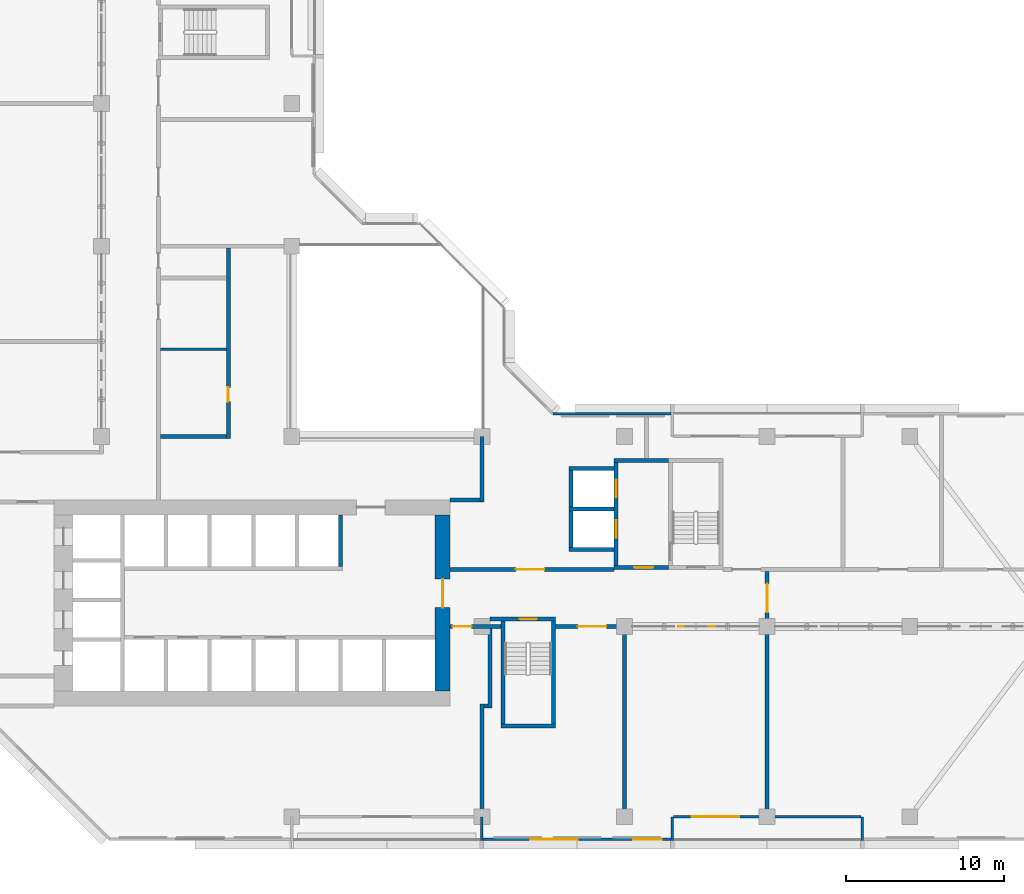
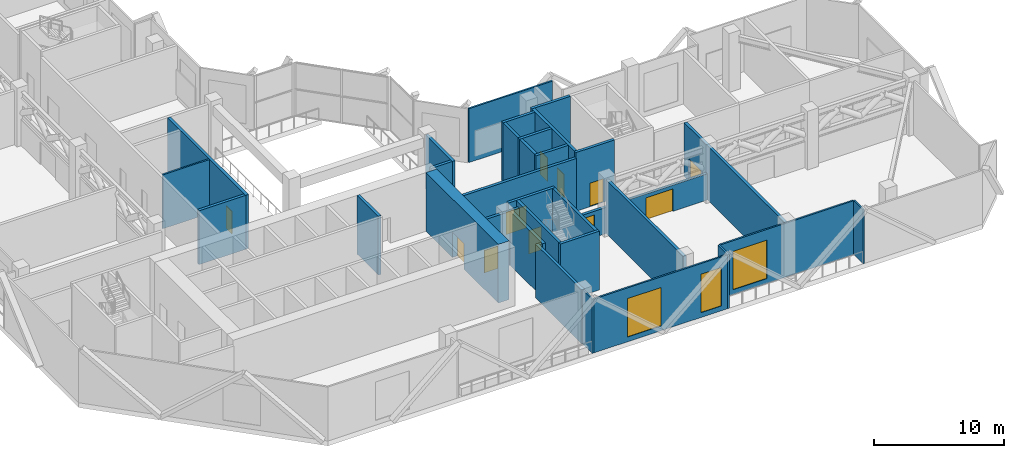
# One storey, part 7 of 15: 33 walls, 11 doors, 3 windows, 14 openings.
"""IFC4 building model written with IfcOpenShell, lengths in metres."""

from ifc_helpers import new_model, si_unit, direction, frame, frame_2d, origin, place, context, subcontext, project, spatial, rectangle, extrude, material, layer, layer_set, type_object, element, fill, save


model = new_model("IFC4")

# Units and contexts
model_context = context("Model", 3, precision=1e-05, world=origin(), true_north=direction((0.0, 1.0)))
body_context = subcontext(model_context, "Body", "Model", "MODEL_VIEW")
ifc_project = project(units=[si_unit("LENGTHUNIT", "METRE"), si_unit("AREAUNIT", "SQUARE_METRE"), si_unit("VOLUMEUNIT", "CUBIC_METRE"), si_unit("PLANEANGLEUNIT", "RADIAN"), si_unit("MASSUNIT", "GRAM", prefix="KILO")], contexts=[model_context])

# Site, building, storey
site_placement = place(None, origin())
site = spatial("IfcSite", under=ifc_project, at=site_placement, CompositionType="ELEMENT")
building_placement = place(site_placement, origin())
building = spatial("IfcBuilding", under=site, at=building_placement, Name="Chenar Terraces", CompositionType="ELEMENT")
storey_placement = place(building_placement, frame((0.0, 0.0, 140.64990234375)))
storey = spatial("IfcBuildingStorey", under=building, at=storey_placement, Name="L33", CompositionType="ELEMENT", Elevation=140.64990234375)

# Walls
ifc_material_1 = material(Name="Concrete C70/85", Category="concrete")
ifc_layer_1 = layer(ifc_material_1, 0.25)
ifc_layer_set_1 = layer_set([ifc_layer_1], Name="Concrete C70/85")
wall_type_1 = type_object("IfcWallType", Name="Core wall 250 Concrete C70/85", PredefinedType="SHEAR", material=ifc_layer_set_1)
wall_1_placement = place(storey_placement, frame((27.074951171875, 15.800048828125, 0.0), z_axis=(0.0, 0.0, 1.0), x_axis=(0.0, 1.0, 0.0)))
element("IfcWall", 1, at=wall_1_placement, inside=storey, type_object=wall_type_1, Name="Core wall NE L33", PredefinedType="SHEAR", context=body_context, shape_type="SweptSolid", body=[
    extrude(rectangle(XDim=3.25, YDim=0.25, at=frame_2d((1.625, 0.0))), origin(), (0.0, 0.0, 1.0), 5.5),
])
wall_2_placement = place(storey_placement, frame((37.199951171875, 5.72509765625, 0.0), z_axis=(0.0, 0.0, 1.0), x_axis=(1.0, 0.0, 0.0)))
element("IfcWall", 2, at=wall_2_placement, inside=storey, type_object=wall_type_1, Name="Core wall ST2_S L33", PredefinedType="SHEAR", context=body_context, shape_type="SweptSolid", body=[
    extrude(rectangle(XDim=3.449951171875, YDim=0.25, at=frame_2d((1.72509765625, 0.0))), origin(), (0.0, 0.0, 1.0), 5.5),
])

# Wall, opening, door
wall_3_placement = place(storey_placement, frame((36.5, 12.47509765625, 0.0), z_axis=(0.0, 0.0, 1.0), x_axis=(1.0, 0.0, 0.0)))
wall_3 = element("IfcWall", 3, at=wall_3_placement, inside=storey, type_object=wall_type_1, Name="Core wall ST2_N L33", PredefinedType="SHEAR", context=body_context, shape_type="SweptSolid", body=[
    extrude(rectangle(XDim=4.14990234375, YDim=0.25, at=frame_2d((2.074951171875, 0.0))), origin(), (0.0, 0.0, 1.0), 5.5),
])
opening_1_placement = place(wall_3_placement, frame((1.875, 0.0, 0.0)))
opening_1 = element("IfcOpeningElement", 4, at=opening_1_placement, cuts=wall_3, Name="Opening DL33-C7", PredefinedType="OPENING", context=body_context, shape_type="SweptSolid", body=[
    extrude(rectangle(XDim=1.10009765625, YDim=2.199951171875, at=frame_2d((0.550048828125, 1.10009765625))), frame((0.0, 0.135009765625, 0.0), z_axis=(0.0, -1.0, 0.0), x_axis=(1.0, 0.0, 0.0)), (0.0, 0.0, 1.0), 0.27001953125),
])
ifc_material_2 = material(Name="Steel-framed fire-resisting door leaf", Category="steel")
door_type_1 = type_object("IfcDoorType", Name="Stair fire door FD60 1100 x 2200", OperationType="SINGLE_SWING_LEFT", PredefinedType="DOOR", material=ifc_material_2)
door_1_placement = place(opening_1_placement, frame((1.10009765625, 0.0, 0.0), z_axis=(0.0, 0.0, 1.0), x_axis=(-1.0, 0.0, 0.0)))
door_1 = element("IfcDoor", 5, at=door_1_placement, inside=storey, type_object=door_type_1, Name="Stair door DL33-C7", OperationType="SINGLE_SWING_RIGHT", OverallHeight=2.199951171875, OverallWidth=1.10009765625, PredefinedType="DOOR", context=body_context, shape_type="SweptSolid", body=[
    extrude(rectangle(XDim=1.10009765625, YDim=2.199951171875, at=frame_2d((0.550048828125, 1.10009765625))), frame((0.0, 0.02490234375, 0.0), z_axis=(0.0, -1.0, 0.0), x_axis=(1.0, 0.0, 0.0)), (0.0, 0.0, 1.0), 0.050048828125),
])
fill(opening_1, door_1)

# Walls
for number, where, z_axis, x_axis, name in (
    (6, (37.324951171875, 5.85009765625, 0.0), (0.0, 0.0, 1.0), (0.0, 1.0, 0.0), "Core wall ST2_W L33"),
    (7, (40.52490234375, 5.85009765625, 0.0), (0.0, 0.0, 1.0), (0.0, 1.0, 0.0), "Core wall ST2_E L33"),
):
    element("IfcWall", number, at=place(storey_placement, frame(where, z_axis=z_axis, x_axis=x_axis)), inside=storey, type_object=wall_type_1, Name=name, PredefinedType="SHEAR", context=body_context, shape_type="SweptSolid", body=[
        extrude(rectangle(XDim=6.5, YDim=0.25, at=frame_2d((3.25, 0.0))), origin(), (0.0, 0.0, 1.0), 5.5),
    ])

# Wall, opening, door
wall_4_placement = place(storey_placement, frame((44.35009765625, 15.72509765625, 0.0), z_axis=(0.0, 0.0, 1.0), x_axis=(1.0, 0.0, 0.0)))
wall_4 = element("IfcWall", 8, at=wall_4_placement, inside=storey, type_object=wall_type_1, Name="Core wall F3_LS L33", PredefinedType="SHEAR", context=body_context, shape_type="SweptSolid", body=[
    extrude(rectangle(XDim=3.4248046875, YDim=0.25, at=frame_2d((1.71240234375, 0.0))), origin(), (0.0, 0.0, 1.0), 5.5),
])
opening_2_placement = place(wall_4_placement, frame((1.25, 0.0, 0.0)))
opening_2 = element("IfcOpeningElement", 9, at=opening_2_placement, cuts=wall_4, Name="Opening DL33-C10", PredefinedType="OPENING", context=body_context, shape_type="SweptSolid", body=[
    extrude(rectangle(XDim=1.199951171875, YDim=2.199951171875, at=frame_2d((0.60009765625, 1.10009765625))), frame((0.0, 0.135009765625, 0.0), z_axis=(0.0, -1.0, 0.0), x_axis=(1.0, 0.0, 0.0)), (0.0, 0.0, 1.0), 0.27001953125),
])
ifc_material_3 = material(Name="Steel-framed fire-resisting door leaf", Category="steel")
door_type_2 = type_object("IfcDoorType", Name="Lobby fire door FD60 1200 x 2200", OperationType="SINGLE_SWING_LEFT", PredefinedType="DOOR", material=ifc_material_3)
door_2_placement = place(opening_2_placement, origin())
door_2 = element("IfcDoor", 10, at=door_2_placement, inside=storey, type_object=door_type_2, Name="Core door DL33-C10", OperationType="SINGLE_SWING_RIGHT", OverallHeight=2.199951171875, OverallWidth=1.199951171875, PredefinedType="DOOR", context=body_context, shape_type="SweptSolid", body=[
    extrude(rectangle(XDim=1.199951171875, YDim=2.199951171875, at=frame_2d((0.60009765625, 1.10009765625))), frame((0.0, 0.02490234375, 0.0), z_axis=(0.0, -1.0, 0.0), x_axis=(1.0, 0.0, 0.0)), (0.0, 0.0, 1.0), 0.050048828125),
])
fill(opening_2, door_2)

# Wall
wall_5_placement = place(storey_placement, frame((44.35009765625, 22.47509765625, 0.0), z_axis=(0.0, 0.0, 1.0), x_axis=(1.0, 0.0, 0.0)))
element("IfcWall", 11, at=wall_5_placement, inside=storey, type_object=wall_type_1, Name="Core wall F3_LN L33", PredefinedType="SHEAR", context=body_context, shape_type="SweptSolid", body=[
    extrude(rectangle(XDim=3.4248046875, YDim=0.25, at=frame_2d((1.71240234375, 0.0))), origin(), (0.0, 0.0, 1.0), 5.5),
])

# Wall, openings, doors
wall_6_placement = place(storey_placement, frame((44.47509765625, 15.85009765625, 0.0), z_axis=(0.0, 0.0, 1.0), x_axis=(0.0, 1.0, 0.0)))
wall_6 = element("IfcWall", 12, at=wall_6_placement, inside=storey, type_object=wall_type_1, Name="Core wall F3_LW L33", PredefinedType="SHEAR", context=body_context, shape_type="SweptSolid", body=[
    extrude(rectangle(XDim=6.5, YDim=0.25, at=frame_2d((3.25, 0.0))), origin(), (0.0, 0.0, 1.0), 5.5),
])
opening_3_placement = place(wall_6_placement, frame((1.75, 0.0, 0.0)))
opening_3 = element("IfcOpeningElement", 13, at=opening_3_placement, cuts=wall_6, Name="Opening DL33-LD8", PredefinedType="OPENING", context=body_context, shape_type="SweptSolid", body=[
    extrude(rectangle(XDim=1.10009765625, YDim=2.199951171875, at=frame_2d((0.550048828125, 1.10009765625))), frame((0.0, 0.135009765625, 0.0), z_axis=(0.0, -1.0, 0.0), x_axis=(1.0, 0.0, 0.0)), (0.0, 0.0, 1.0), 0.27001953125),
])
opening_4_placement = place(wall_6_placement, frame((4.300048828125, 0.0, 0.0)))
opening_4 = element("IfcOpeningElement", 14, at=opening_4_placement, cuts=wall_6, Name="Opening DL33-LD9", PredefinedType="OPENING", context=body_context, shape_type="SweptSolid", body=[
    extrude(rectangle(XDim=1.10009765625, YDim=2.199951171875, at=frame_2d((0.550048828125, 1.10009765625))), frame((0.0, 0.135009765625, 0.0), z_axis=(0.0, -1.0, 0.0), x_axis=(1.0, 0.0, 0.0)), (0.0, 0.0, 1.0), 0.27001953125),
])
ifc_material_4 = material(Name="Stainless steel", Category="steel")
door_type_3 = type_object("IfcDoorType", Name="Lift landing door 1100 x 2200 sliding", OperationType="DOUBLE_DOOR_SLIDING", PredefinedType="DOOR", material=ifc_material_4)
door_3_placement = place(opening_3_placement, origin())
door_3 = element("IfcDoor", 15, at=door_3_placement, inside=storey, type_object=door_type_3, Name="Landing door F3", OperationType="DOUBLE_DOOR_SLIDING", OverallHeight=2.199951171875, OverallWidth=1.10009765625, PredefinedType="DOOR", context=body_context, shape_type="SweptSolid", body=[
    extrude(rectangle(XDim=1.10009765625, YDim=2.199951171875, at=frame_2d((0.550048828125, 1.10009765625))), frame((0.0, 0.02490234375, 0.0), z_axis=(0.0, -1.0, 0.0), x_axis=(1.0, 0.0, 0.0)), (0.0, 0.0, 1.0), 0.050048828125),
])
fill(opening_3, door_3)
door_4_placement = place(opening_4_placement, origin())
door_4 = element("IfcDoor", 16, at=door_4_placement, inside=storey, type_object=door_type_3, Name="Landing door F4", OperationType="DOUBLE_DOOR_SLIDING", OverallHeight=2.199951171875, OverallWidth=1.10009765625, PredefinedType="DOOR", context=body_context, shape_type="SweptSolid", body=[
    extrude(rectangle(XDim=1.10009765625, YDim=2.199951171875, at=frame_2d((0.550048828125, 1.10009765625))), frame((0.0, 0.02490234375, 0.0), z_axis=(0.0, -1.0, 0.0), x_axis=(1.0, 0.0, 0.0)), (0.0, 0.0, 1.0), 0.050048828125),
])
fill(opening_4, door_4)

# Walls
for number, where, z_axis, x_axis, name in (
    (17, (41.5, 16.875, 0.0), (0.0, 0.0, 1.0), (1.0, 0.0, 0.0), "Core wall F3_SS L33"),
    (18, (41.5, 19.425048828125, 0.0), (0.0, 0.0, 1.0), (1.0, 0.0, 0.0), "Core wall F3_SM L33"),
    (19, (41.5, 21.97509765625, 0.0), (0.0, 0.0, 1.0), (1.0, 0.0, 0.0), "Core wall F4_SN L33"),
):
    element("IfcWall", number, at=place(storey_placement, frame(where, z_axis=z_axis, x_axis=x_axis)), inside=storey, type_object=wall_type_1, Name=name, PredefinedType="SHEAR", context=body_context, shape_type="SweptSolid", body=[
        extrude(rectangle(XDim=2.85009765625, YDim=0.25, at=frame_2d((1.425048828125, 0.0))), origin(), (0.0, 0.0, 1.0), 5.5),
    ])
for number, where, z_axis, x_axis, name in (
    (20, (41.625, 17.0, 0.0), (0.0, 0.0, 1.0), (0.0, 1.0, 0.0), "Core wall F3_SW L33"),
    (21, (41.625, 19.550048828125, 0.0), (0.0, 0.0, 1.0), (0.0, 1.0, 0.0), "Core wall F4_SW L33"),
):
    element("IfcWall", number, at=place(storey_placement, frame(where, z_axis=z_axis, x_axis=x_axis)), inside=storey, type_object=wall_type_1, Name=name, PredefinedType="SHEAR", context=body_context, shape_type="SweptSolid", body=[
        extrude(rectangle(XDim=2.300048828125, YDim=0.25, at=frame_2d((1.14990234375, 0.0))), origin(), (0.0, 0.0, 1.0), 5.5),
    ])

# Wall, opening, door
ifc_material_5 = material(Name="Concrete C70/85", Category="concrete")
ifc_layer_2 = layer(ifc_material_5, 0.949951171875)
ifc_layer_set_2 = layer_set([ifc_layer_2], Name="Concrete C70/85")
wall_type_2 = type_object("IfcWallType", Name="Core wall 950 Concrete C70/85", PredefinedType="SHEAR", material=ifc_layer_set_2)
wall_7_placement = place(storey_placement, frame((33.52490234375, 7.949951171875, 0.0), z_axis=(0.0, 0.0, 1.0), x_axis=(0.0, 1.0, 0.0)))
wall_7 = element("IfcWall", 22, at=wall_7_placement, inside=storey, type_object=wall_type_2, Name="Core wall E L33", PredefinedType="SHEAR", context=body_context, shape_type="SweptSolid", body=[
    extrude(rectangle(XDim=11.10009765625, YDim=0.949951171875, at=frame_2d((5.550048828125, 0.0))), origin(), (0.0, 0.0, 1.0), 5.5),
])
opening_5_placement = place(wall_7_placement, frame((5.25, 0.0, 0.0)))
opening_5 = element("IfcOpeningElement", 23, at=opening_5_placement, cuts=wall_7, Name="Opening DL33-C1", PredefinedType="OPENING", context=body_context, shape_type="SweptSolid", body=[
    extrude(rectangle(XDim=1.800048828125, YDim=2.39990234375, at=frame_2d((0.89990234375, 1.199951171875))), frame((0.0, 0.48486328125, 0.0), z_axis=(0.0, -1.0, 0.0), x_axis=(1.0, 0.0, 0.0)), (0.0, 0.0, 1.0), 0.969970703125),
])
ifc_material_6 = material(Name="Steel-framed fire-resisting door leaf", Category="steel")
door_type_4 = type_object("IfcDoorType", Name="Core entrance double fire door FD60 1800 x 2400", OperationType="DOUBLE_DOOR_SINGLE_SWING", PredefinedType="DOOR", material=ifc_material_6)
door_5_placement = place(opening_5_placement, origin())
door_5 = element("IfcDoor", 24, at=door_5_placement, inside=storey, type_object=door_type_4, Name="Core door DL33-C1", OperationType="DOUBLE_DOOR_SINGLE_SWING", OverallHeight=2.39990234375, OverallWidth=1.800048828125, PredefinedType="DOOR", context=body_context, shape_type="SweptSolid", body=[
    extrude(rectangle(XDim=1.800048828125, YDim=2.39990234375, at=frame_2d((0.89990234375, 1.199951171875))), frame((0.0, 0.02490234375, 0.0), z_axis=(0.0, -1.0, 0.0), x_axis=(1.0, 0.0, 0.0)), (0.0, 0.0, 1.0), 0.050048828125),
])
fill(opening_5, door_5)

# Wall
ifc_material_7 = material(Name="Aluminium framed glazing", Category="aluminium")
ifc_layer_3 = layer(ifc_material_7, 0.14990234375)
ifc_layer_set_3 = layer_set([ifc_layer_3], Name="Aluminium framed glazing")
wall_type_3 = type_object("IfcWallType", Name="Glazed flush facade wall 150", PredefinedType="SOLIDWALL", material=ifc_layer_set_3)
wall_8_placement = place(storey_placement, frame((47.925048828125, 25.425048828125, 0.0), z_axis=(0.0, 0.0, 1.0), x_axis=(-1.0, 0.0, 0.0)))
element("IfcWall", 25, at=wall_8_placement, inside=storey, type_object=wall_type_3, Name="Glazed flush facade wall", PredefinedType="SOLIDWALL", context=body_context, shape_type="SweptSolid", body=[
    extrude(rectangle(XDim=7.425048828125, YDim=0.14990234375, at=frame_2d((3.71240234375, 0.0))), origin(), (0.0, 0.0, 1.0), 5.050048828125),
])

# Wall, openings, windows
wall_9_placement = place(storey_placement, frame((36.074951171875, -1.425048828125, 0.0), z_axis=(0.0, 0.0, 1.0), x_axis=(1.0, 0.0, 0.0)))
wall_9 = element("IfcWall", 26, at=wall_9_placement, inside=storey, type_object=wall_type_3, Name="Glazed flush facade wall", PredefinedType="SOLIDWALL", context=body_context, shape_type="SweptSolid", body=[
    extrude(rectangle(XDim=11.85009765625, YDim=0.14990234375, at=frame_2d((5.925048828125, 0.0))), origin(), (0.0, 0.0, 1.0), 5.050048828125),
])
opening_6_placement = place(wall_9_placement, frame((2.96240234375, 0.0, 0.449951171875)))
opening_6 = element("IfcOpeningElement", 27, at=opening_6_placement, cuts=wall_9, Name="Opening W300x360", PredefinedType="OPENING", context=body_context, shape_type="SweptSolid", body=[
    extrude(rectangle(XDim=3.0, YDim=3.60009765625, at=frame_2d((1.5, 1.800048828125))), frame((0.0, 0.0849609375, 0.0), z_axis=(0.0, -1.0, 0.0), x_axis=(1.0, 0.0, 0.0)), (0.0, 0.0, 1.0), 0.169921875),
])
opening_7_placement = place(wall_9_placement, frame((9.487548828125, 0.0, 0.449951171875)))
opening_7 = element("IfcOpeningElement", 28, at=opening_7_placement, cuts=wall_9, Name="Opening W180x360", PredefinedType="OPENING", context=body_context, shape_type="SweptSolid", body=[
    extrude(rectangle(XDim=1.800048828125, YDim=3.60009765625, at=frame_2d((0.89990234375, 1.800048828125))), frame((0.0, 0.0849609375, 0.0), z_axis=(0.0, -1.0, 0.0), x_axis=(1.0, 0.0, 0.0)), (0.0, 0.0, 1.0), 0.169921875),
])
ifc_material_8 = material(Name="Low emissivity double glazing, aluminium frame", Category="aluminium")
window_type_1 = type_object("IfcWindowType", Name="Fixed light 1800 x 3600", PartitioningType="SINGLE_PANEL", PredefinedType="WINDOW", material=ifc_material_8)
window_1_placement = place(opening_7_placement, origin())
window_1 = element("IfcWindow", 29, at=window_1_placement, inside=storey, type_object=window_type_1, Name="Window", OverallHeight=3.60009765625, OverallWidth=1.800048828125, PartitioningType="SINGLE_PANEL", PredefinedType="WINDOW", context=body_context, shape_type="SweptSolid", body=[
    extrude(rectangle(XDim=1.800048828125, YDim=3.60009765625, at=frame_2d((0.89990234375, 1.800048828125))), frame((0.0, 0.030029296875, 0.0), z_axis=(0.0, -1.0, 0.0), x_axis=(1.0, 0.0, 0.0)), (0.0, 0.0, 1.0), 0.06005859375),
])
fill(opening_7, window_1)
ifc_material_9 = material(Name="Low emissivity double glazing, aluminium frame", Category="aluminium")
window_type_2 = type_object("IfcWindowType", Name="Fixed light 3000 x 3600", PartitioningType="SINGLE_PANEL", PredefinedType="WINDOW", material=ifc_material_9)
window_2_placement = place(opening_6_placement, origin())
window_2 = element("IfcWindow", 30, at=window_2_placement, inside=storey, type_object=window_type_2, Name="Window", OverallHeight=3.60009765625, OverallWidth=3.0, PartitioningType="SINGLE_PANEL", PredefinedType="WINDOW", context=body_context, shape_type="SweptSolid", body=[
    extrude(rectangle(XDim=3.0, YDim=3.60009765625, at=frame_2d((1.5, 1.800048828125))), frame((0.0, 0.030029296875, 0.0), z_axis=(0.0, -1.0, 0.0), x_axis=(1.0, 0.0, 0.0)), (0.0, 0.0, 1.0), 0.06005859375),
])
fill(opening_6, window_2)

# Wall, opening, window
ifc_material_10 = material(Name="Aluminium framed glazing", Category="aluminium")
ifc_layer_4 = layer(ifc_material_10, 0.14990234375)
ifc_layer_set_4 = layer_set([ifc_layer_4], Name="Aluminium framed glazing")
wall_type_4 = type_object("IfcWallType", Name="Glazed loggia back wall 150", PredefinedType="SOLIDWALL", material=ifc_layer_set_4)
wall_10_placement = place(storey_placement, frame((48.074951171875, 0.0, 0.0), z_axis=(0.0, 0.0, 1.0), x_axis=(1.0, 0.0, 0.0)))
wall_10 = element("IfcWall", 31, at=wall_10_placement, inside=storey, type_object=wall_type_4, Name="Glazed loggia back wall", PredefinedType="SOLIDWALL", context=body_context, shape_type="SweptSolid", body=[
    extrude(rectangle(XDim=11.85009765625, YDim=0.14990234375, at=frame_2d((5.925048828125, 0.0))), origin(), (0.0, 0.0, 1.0), 5.050048828125),
])
opening_8_placement = place(wall_10_placement, frame((1.16259765625, 0.0, 0.449951171875)))
opening_8 = element("IfcOpeningElement", 32, at=opening_8_placement, cuts=wall_10, Name="Opening W300x360", PredefinedType="OPENING", context=body_context, shape_type="SweptSolid", body=[
    extrude(rectangle(XDim=3.0, YDim=3.60009765625, at=frame_2d((1.5, 1.800048828125))), frame((0.0, 0.0849609375, 0.0), z_axis=(0.0, -1.0, 0.0), x_axis=(1.0, 0.0, 0.0)), (0.0, 0.0, 1.0), 0.169921875),
])
window_3_placement = place(opening_8_placement, origin())
window_3 = element("IfcWindow", 33, at=window_3_placement, inside=storey, type_object=window_type_2, Name="Window", OverallHeight=3.60009765625, OverallWidth=3.0, PartitioningType="SINGLE_PANEL", PredefinedType="WINDOW", context=body_context, shape_type="SweptSolid", body=[
    extrude(rectangle(XDim=3.0, YDim=3.60009765625, at=frame_2d((1.5, 1.800048828125))), frame((0.0, 0.030029296875, 0.0), z_axis=(0.0, -1.0, 0.0), x_axis=(1.0, 0.0, 0.0)), (0.0, 0.0, 1.0), 0.06005859375),
])
fill(opening_8, window_3)

# Walls
ifc_material_11 = material(Name="Terracotta cladding on insulated backing", Category="masonry")
ifc_layer_5 = layer(ifc_material_11, 0.14990234375)
ifc_layer_set_5 = layer_set([ifc_layer_5], Name="Terracotta cladding on insulated backing")
wall_type_5 = type_object("IfcWallType", Name="Loggia return wall 150", PredefinedType="SOLIDWALL", material=ifc_layer_set_5)
for number, where, z_axis, x_axis, name in (
    (34, (36.0, -1.5, 0.0), (0.0, 0.0, 1.0), (0.0, 1.0, 0.0), "Loggia return wall"),
    (35, (48.0, -1.5, 0.0), (0.0, 0.0, 1.0), (0.0, 1.0, 0.0), "Loggia return wall"),
    (36, (60.0, -1.5, 0.0), (0.0, 0.0, 1.0), (0.0, 1.0, 0.0), "Loggia return wall"),
):
    element("IfcWall", number, at=place(storey_placement, frame(where, z_axis=z_axis, x_axis=x_axis)), inside=storey, type_object=wall_type_5, Name=name, PredefinedType="SOLIDWALL", context=body_context, shape_type="SweptSolid", body=[
        extrude(rectangle(XDim=1.5, YDim=0.14990234375, at=frame_2d((0.75, 0.0))), origin(), (0.0, 0.0, 1.0), 5.050048828125),
    ])
ifc_material_12 = material(Name="Fire-board and steel stud wall with mineral wool", Category="steel")
ifc_layer_6 = layer(ifc_material_12, 0.25)
ifc_layer_set_6 = layer_set([ifc_layer_6], Name="Fire-board and steel stud wall with mineral wool")
wall_type_6 = type_object("IfcWallType", Name="Refuge compartment wall 250", PredefinedType="PARTITIONING", material=ifc_layer_set_6)
wall_11_placement = place(storey_placement, frame((15.72509765625, 24.0, 0.0), z_axis=(0.0, 0.0, 1.0), x_axis=(1.0, 0.0, 0.0)))
element("IfcWall", 37, at=wall_11_placement, inside=storey, type_object=wall_type_6, Name="Partition L33-010", PredefinedType="PARTITIONING", context=body_context, shape_type="SweptSolid", body=[
    extrude(rectangle(XDim=4.14990234375, YDim=0.25, at=frame_2d((2.074951171875, 0.0))), origin(), (0.0, 0.0, 1.0), 5.050048828125),
])

# Wall, opening, door
wall_12_placement = place(storey_placement, frame((20.0, 23.875, 0.0), z_axis=(0.0, 0.0, 1.0), x_axis=(0.0, 1.0, 0.0)))
wall_12 = element("IfcWall", 38, at=wall_12_placement, inside=storey, type_object=wall_type_6, Name="Partition L33-017", PredefinedType="PARTITIONING", context=body_context, shape_type="SweptSolid", body=[
    extrude(rectangle(XDim=12.0, YDim=0.25, at=frame_2d((6.0, 0.0))), origin(), (0.0, 0.0, 1.0), 5.050048828125),
])
opening_9_placement = place(wall_12_placement, frame((2.324951171875, 0.0, 0.0)))
opening_9 = element("IfcOpeningElement", 39, at=opening_9_placement, cuts=wall_12, Name="Opening DL33-21", PredefinedType="OPENING", context=body_context, shape_type="SweptSolid", body=[
    extrude(rectangle(XDim=0.89990234375, YDim=2.10009765625, at=frame_2d((0.449951171875, 1.050048828125))), frame((0.0, 0.135009765625, 0.0), z_axis=(0.0, -1.0, 0.0), x_axis=(1.0, 0.0, 0.0)), (0.0, 0.0, 1.0), 0.27001953125),
])
ifc_material_13 = material(Name="Steel-framed fire-resisting door leaf", Category="steel")
door_type_5 = type_object("IfcDoorType", Name="Fire door FD120 900 x 2100", OperationType="SINGLE_SWING_LEFT", PredefinedType="DOOR", material=ifc_material_13)
door_6_placement = place(opening_9_placement, origin())
door_6 = element("IfcDoor", 40, at=door_6_placement, inside=storey, type_object=door_type_5, Name="Door DL33-21", OperationType="SINGLE_SWING_LEFT", OverallHeight=2.10009765625, OverallWidth=0.89990234375, PredefinedType="DOOR", context=body_context, shape_type="SweptSolid", body=[
    extrude(rectangle(XDim=0.89990234375, YDim=2.10009765625, at=frame_2d((0.449951171875, 1.050048828125))), frame((0.0, 0.02490234375, 0.0), z_axis=(0.0, -1.0, 0.0), x_axis=(1.0, 0.0, 0.0)), (0.0, 0.0, 1.0), 0.050048828125),
])
fill(opening_9, door_6)

wall_13_placement = place(storey_placement, frame((34.0, 12.0, 0.0), z_axis=(0.0, 0.0, 1.0), x_axis=(1.0, 0.0, 0.0)))
wall_13 = element("IfcWall", 41, at=wall_13_placement, inside=storey, type_object=wall_type_6, Name="Partition L33-018", PredefinedType="PARTITIONING", context=body_context, shape_type="SweptSolid", body=[
    extrude(rectangle(XDim=3.199951171875, YDim=0.25, at=frame_2d((1.60009765625, 0.0))), origin(), (0.0, 0.0, 1.0), 5.050048828125),
])
opening_10_placement = place(wall_13_placement, frame((0.14990234375, 0.0, 0.0)))
opening_10 = element("IfcOpeningElement", 42, at=opening_10_placement, cuts=wall_13, Name="Opening DL33-18", PredefinedType="OPENING", context=body_context, shape_type="SweptSolid", body=[
    extrude(rectangle(XDim=1.199951171875, YDim=2.10009765625, at=frame_2d((0.60009765625, 1.050048828125))), frame((0.0, 0.135009765625, 0.0), z_axis=(0.0, -1.0, 0.0), x_axis=(1.0, 0.0, 0.0)), (0.0, 0.0, 1.0), 0.27001953125),
])
ifc_material_14 = material(Name="Steel-framed fire-resisting door leaf", Category="steel")
door_type_6 = type_object("IfcDoorType", Name="Fire door FD120 1200 x 2100", OperationType="SINGLE_SWING_LEFT", PredefinedType="DOOR", material=ifc_material_14)
door_7_placement = place(opening_10_placement, frame((1.199951171875, 0.0, 0.0), z_axis=(0.0, 0.0, 1.0), x_axis=(-1.0, 0.0, 0.0)))
door_7 = element("IfcDoor", 43, at=door_7_placement, inside=storey, type_object=door_type_6, Name="Door DL33-18", OperationType="SINGLE_SWING_LEFT", OverallHeight=2.10009765625, OverallWidth=1.199951171875, PredefinedType="DOOR", context=body_context, shape_type="SweptSolid", body=[
    extrude(rectangle(XDim=1.199951171875, YDim=2.10009765625, at=frame_2d((0.60009765625, 1.050048828125))), frame((0.0, 0.02490234375, 0.0), z_axis=(0.0, -1.0, 0.0), x_axis=(1.0, 0.0, 0.0)), (0.0, 0.0, 1.0), 0.050048828125),
])
fill(opening_10, door_7)

wall_14_placement = place(storey_placement, frame((34.0, 15.60009765625, 0.0), z_axis=(0.0, 0.0, 1.0), x_axis=(1.0, 0.0, 0.0)))
wall_14 = element("IfcWall", 44, at=wall_14_placement, inside=storey, type_object=wall_type_6, Name="Partition L33-019", PredefinedType="PARTITIONING", context=body_context, shape_type="SweptSolid", body=[
    extrude(rectangle(XDim=10.35009765625, YDim=0.25, at=frame_2d((5.175048828125, 0.0))), origin(), (0.0, 0.0, 1.0), 5.050048828125),
])
opening_11_placement = place(wall_14_placement, frame((4.14990234375, 0.0, 0.0)))
opening_11 = element("IfcOpeningElement", 45, at=opening_11_placement, cuts=wall_14, Name="Opening DL33-1", PredefinedType="OPENING", context=body_context, shape_type="SweptSolid", body=[
    extrude(rectangle(XDim=1.800048828125, YDim=2.10009765625, at=frame_2d((0.89990234375, 1.050048828125))), frame((0.0, 0.135009765625, 0.0), z_axis=(0.0, -1.0, 0.0), x_axis=(1.0, 0.0, 0.0)), (0.0, 0.0, 1.0), 0.27001953125),
])
ifc_material_15 = material(Name="Steel-framed fire-resisting door leaf", Category="steel")
door_type_7 = type_object("IfcDoorType", Name="Fire double door FD120 1800 x 2100", OperationType="DOUBLE_DOOR_SINGLE_SWING", PredefinedType="DOOR", material=ifc_material_15)
door_8_placement = place(opening_11_placement, origin())
door_8 = element("IfcDoor", 46, at=door_8_placement, inside=storey, type_object=door_type_7, Name="Door DL33-1", OperationType="DOUBLE_DOOR_SINGLE_SWING", OverallHeight=2.10009765625, OverallWidth=1.800048828125, PredefinedType="DOOR", context=body_context, shape_type="SweptSolid", body=[
    extrude(rectangle(XDim=1.800048828125, YDim=2.10009765625, at=frame_2d((0.89990234375, 1.050048828125))), frame((0.0, 0.02490234375, 0.0), z_axis=(0.0, -1.0, 0.0), x_axis=(1.0, 0.0, 0.0)), (0.0, 0.0, 1.0), 0.050048828125),
])
fill(opening_11, door_8)

# Walls
wall_15_placement = place(storey_placement, frame((34.0, 20.0, 0.0), z_axis=(0.0, 0.0, 1.0), x_axis=(1.0, 0.0, 0.0)))
element("IfcWall", 47, at=wall_15_placement, inside=storey, type_object=wall_type_6, Name="Partition L33-020", PredefinedType="PARTITIONING", context=body_context, shape_type="SweptSolid", body=[
    extrude(rectangle(XDim=1.875, YDim=0.25, at=frame_2d((0.9375, 0.0))), origin(), (0.0, 0.0, 1.0), 5.050048828125),
])
wall_16_placement = place(storey_placement, frame((36.0, 0.0, 0.0), z_axis=(0.0, 0.0, 1.0), x_axis=(0.0, 1.0, 0.0)))
element("IfcWall", 48, at=wall_16_placement, inside=storey, type_object=wall_type_6, Name="Partition L33-021", PredefinedType="PARTITIONING", context=body_context, shape_type="SweptSolid", body=[
    extrude(rectangle(XDim=7.125, YDim=0.25, at=frame_2d((3.5625, 0.0))), origin(), (0.0, 0.0, 1.0), 5.050048828125),
])
wall_17_placement = place(storey_placement, frame((36.0, 19.875, 0.0), z_axis=(0.0, 0.0, 1.0), x_axis=(0.0, 1.0, 0.0)))
element("IfcWall", 49, at=wall_17_placement, inside=storey, type_object=wall_type_6, Name="Partition L33-022", PredefinedType="PARTITIONING", context=body_context, shape_type="SweptSolid", body=[
    extrude(rectangle(XDim=4.125, YDim=0.25, at=frame_2d((2.0625, 0.0))), origin(), (0.0, 0.0, 1.0), 5.050048828125),
])
wall_18_placement = place(storey_placement, frame((36.125, 7.0, 0.0), z_axis=(0.0, 0.0, 1.0), x_axis=(1.0, 0.0, 0.0)))
element("IfcWall", 50, at=wall_18_placement, inside=storey, type_object=wall_type_6, Name="Partition L33-023", PredefinedType="PARTITIONING", context=body_context, shape_type="SweptSolid", body=[
    extrude(rectangle(XDim=0.25, YDim=0.25, at=frame_2d((0.125, 0.0))), origin(), (0.0, 0.0, 1.0), 5.050048828125),
])
wall_19_placement = place(storey_placement, frame((36.5, 6.875, 0.0), z_axis=(0.0, 0.0, 1.0), x_axis=(0.0, 1.0, 0.0)))
element("IfcWall", 51, at=wall_19_placement, inside=storey, type_object=wall_type_6, Name="Partition L33-024", PredefinedType="PARTITIONING", context=body_context, shape_type="SweptSolid", body=[
    extrude(rectangle(XDim=5.0, YDim=0.25, at=frame_2d((2.5, 0.0))), origin(), (0.0, 0.0, 1.0), 5.050048828125),
])

# Wall, openings, doors
wall_20_placement = place(storey_placement, frame((40.64990234375, 12.0, 0.0), z_axis=(0.0, 0.0, 1.0), x_axis=(1.0, 0.0, 0.0)))
wall_20 = element("IfcWall", 52, at=wall_20_placement, inside=storey, type_object=wall_type_6, Name="Partition L33-025", PredefinedType="PARTITIONING", context=body_context, shape_type="SweptSolid", body=[
    extrude(rectangle(XDim=13.22509765625, YDim=0.25, at=frame_2d((6.612548828125, 0.0))), origin(), (0.0, 0.0, 1.0), 2.4501953125),
])
opening_12_placement = place(wall_20_placement, frame((1.39990234375, 0.0, 0.0)))
opening_12 = element("IfcOpeningElement", 53, at=opening_12_placement, cuts=wall_20, Name="Opening DL33-5", PredefinedType="OPENING", context=body_context, shape_type="SweptSolid", body=[
    extrude(rectangle(XDim=1.800048828125, YDim=2.10009765625, at=frame_2d((0.89990234375, 1.050048828125))), frame((0.0, 0.135009765625, 0.0), z_axis=(0.0, -1.0, 0.0), x_axis=(1.0, 0.0, 0.0)), (0.0, 0.0, 1.0), 0.27001953125),
])
opening_13_placement = place(wall_20_placement, frame((7.75, 0.0, 0.0)))
opening_13 = element("IfcOpeningElement", 54, at=opening_13_placement, cuts=wall_20, Name="Opening DL33-6", PredefinedType="OPENING", context=body_context, shape_type="SweptSolid", body=[
    extrude(rectangle(XDim=2.39990234375, YDim=2.10009765625, at=frame_2d((1.199951171875, 1.050048828125))), frame((0.0, 0.135009765625, 0.0), z_axis=(0.0, -1.0, 0.0), x_axis=(1.0, 0.0, 0.0)), (0.0, 0.0, 1.0), 0.27001953125),
])
door_9_placement = place(opening_12_placement, frame((1.800048828125, 0.0, 0.0), z_axis=(0.0, 0.0, 1.0), x_axis=(-1.0, 0.0, 0.0)))
door_9 = element("IfcDoor", 55, at=door_9_placement, inside=storey, type_object=door_type_7, Name="Door DL33-5", OperationType="DOUBLE_DOOR_SINGLE_SWING", OverallHeight=2.10009765625, OverallWidth=1.800048828125, PredefinedType="DOOR", context=body_context, shape_type="SweptSolid", body=[
    extrude(rectangle(XDim=1.800048828125, YDim=2.10009765625, at=frame_2d((0.89990234375, 1.050048828125))), frame((0.0, 0.02490234375, 0.0), z_axis=(0.0, -1.0, 0.0), x_axis=(1.0, 0.0, 0.0)), (0.0, 0.0, 1.0), 0.050048828125),
])
fill(opening_12, door_9)
ifc_material_16 = material(Name="Steel-framed fire-resisting door leaf", Category="steel")
door_type_8 = type_object("IfcDoorType", Name="Fire double door FD120 2400 x 2100", OperationType="DOUBLE_DOOR_SINGLE_SWING", PredefinedType="DOOR", material=ifc_material_16)
door_10_placement = place(opening_13_placement, frame((2.39990234375, 0.0, 0.0), z_axis=(0.0, 0.0, 1.0), x_axis=(-1.0, 0.0, 0.0)))
door_10 = element("IfcDoor", 56, at=door_10_placement, inside=storey, type_object=door_type_8, Name="Door DL33-6", OperationType="DOUBLE_DOOR_SINGLE_SWING", OverallHeight=2.10009765625, OverallWidth=2.39990234375, PredefinedType="DOOR", context=body_context, shape_type="SweptSolid", body=[
    extrude(rectangle(XDim=2.39990234375, YDim=2.10009765625, at=frame_2d((1.199951171875, 1.050048828125))), frame((0.0, 0.02490234375, 0.0), z_axis=(0.0, -1.0, 0.0), x_axis=(1.0, 0.0, 0.0)), (0.0, 0.0, 1.0), 0.050048828125),
])
fill(opening_13, door_10)

# Wall
wall_21_placement = place(storey_placement, frame((45.0, 0.0, 0.0), z_axis=(0.0, 0.0, 1.0), x_axis=(0.0, 1.0, 0.0)))
element("IfcWall", 57, at=wall_21_placement, inside=storey, type_object=wall_type_6, Name="Partition L33-026", PredefinedType="PARTITIONING", context=body_context, shape_type="SweptSolid", body=[
    extrude(rectangle(XDim=11.875, YDim=0.25, at=frame_2d((5.9375, 0.0))), origin(), (0.0, 0.0, 1.0), 5.050048828125),
])

# Wall, opening, door
wall_22_placement = place(storey_placement, frame((54.0, 0.073974609375, 0.0), z_axis=(0.0, 0.0, 1.0), x_axis=(0.0, 1.0, 0.0)))
wall_22 = element("IfcWall", 58, at=wall_22_placement, inside=storey, type_object=wall_type_6, Name="Partition L33-029", PredefinedType="PARTITIONING", context=body_context, shape_type="SweptSolid", body=[
    extrude(rectangle(XDim=15.401123046875, YDim=0.25, at=frame_2d((7.70068359375, 0.0))), origin(), (0.0, 0.0, 1.0), 5.050048828125),
])
opening_14_placement = place(wall_22_placement, frame((12.825927734375, 0.0, 0.0)))
opening_14 = element("IfcOpeningElement", 59, at=opening_14_placement, cuts=wall_22, Name="Opening DL33-19", PredefinedType="OPENING", context=body_context, shape_type="SweptSolid", body=[
    extrude(rectangle(XDim=1.800048828125, YDim=2.10009765625, at=frame_2d((0.89990234375, 1.050048828125))), frame((0.0, 0.135009765625, 0.0), z_axis=(0.0, -1.0, 0.0), x_axis=(1.0, 0.0, 0.0)), (0.0, 0.0, 1.0), 0.27001953125),
])
door_11_placement = place(opening_14_placement, origin())
door_11 = element("IfcDoor", 60, at=door_11_placement, inside=storey, type_object=door_type_7, Name="Door DL33-19", OperationType="DOUBLE_DOOR_SINGLE_SWING", OverallHeight=2.10009765625, OverallWidth=1.800048828125, PredefinedType="DOOR", context=body_context, shape_type="SweptSolid", body=[
    extrude(rectangle(XDim=1.800048828125, YDim=2.10009765625, at=frame_2d((0.89990234375, 1.050048828125))), frame((0.0, 0.02490234375, 0.0), z_axis=(0.0, -1.0, 0.0), x_axis=(1.0, 0.0, 0.0)), (0.0, 0.0, 1.0), 0.050048828125),
])
fill(opening_14, door_11)

# Wall
ifc_material_17 = material(Name="Moisture-resistant gypsum board on steel studs", Category="steel")
ifc_layer_7 = layer(ifc_material_17, 0.14990234375)
ifc_layer_set_7 = layer_set([ifc_layer_7], Name="Moisture-resistant gypsum board on steel studs")
wall_type_7 = type_object("IfcWallType", Name="Wet-room partition 150", PredefinedType="PARTITIONING", material=ifc_layer_set_7)
wall_23_placement = place(storey_placement, frame((15.72509765625, 29.5, 0.0), z_axis=(0.0, 0.0, 1.0), x_axis=(1.0, 0.0, 0.0)))
element("IfcWall", 61, at=wall_23_placement, inside=storey, type_object=wall_type_7, Name="Partition L33-011", PredefinedType="PARTITIONING", context=body_context, shape_type="SweptSolid", body=[
    extrude(rectangle(XDim=4.14990234375, YDim=0.14990234375, at=frame_2d((2.074951171875, 0.0))), origin(), (0.0, 0.0, 1.0), 5.050048828125),
])

save(model, "model.ifc")
